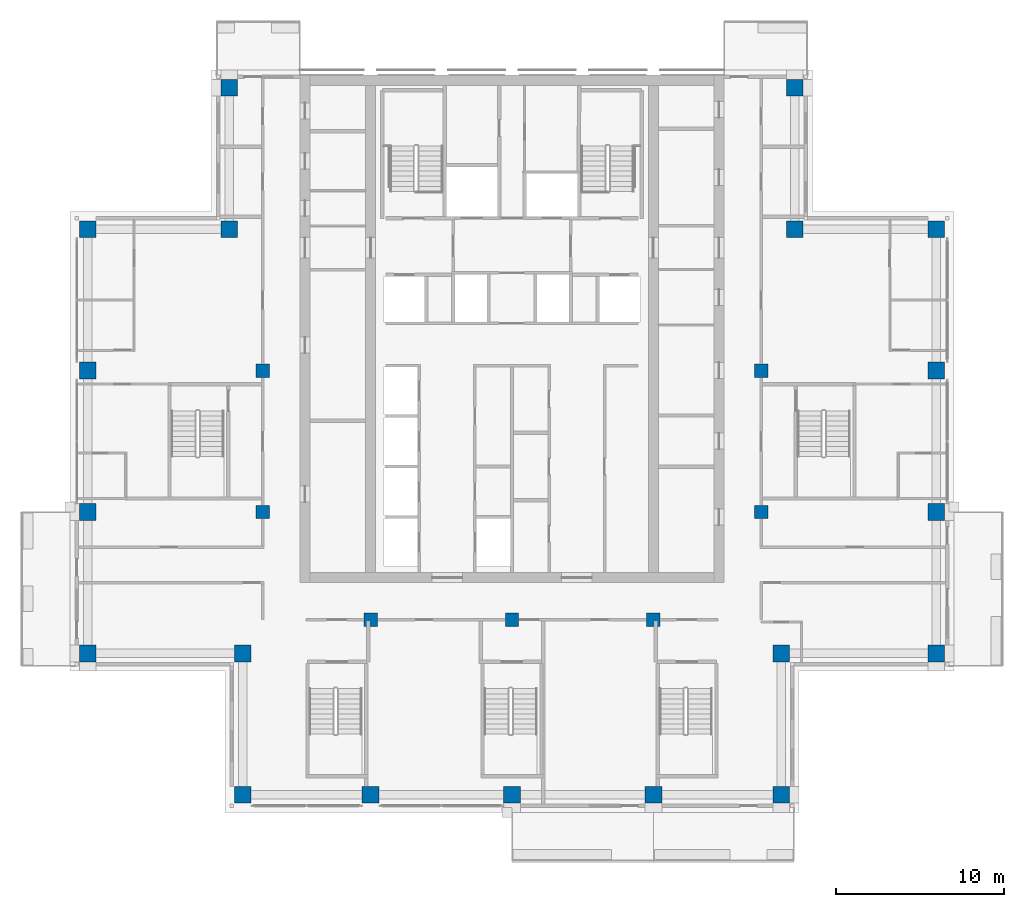
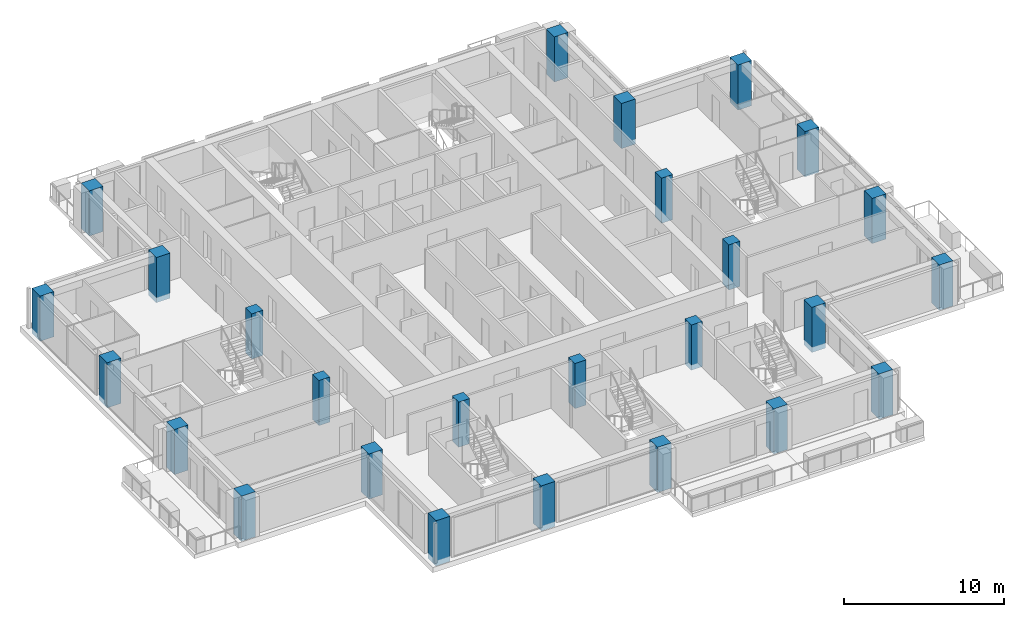
# One storey, part 1 of 17: 26 columns.
"""IFC4 building model written with IfcOpenShell, lengths in metres."""

from ifc_helpers import new_model, si_unit, direction, frame, origin, origin_2d, place, context, subcontext, project, spatial, rectangle, extrude, material, material_profile, profile_set, type_object, element, save


model = new_model("IFC4")

# Units and contexts
model_context = context("Model", 3, precision=1e-05, world=origin(), true_north=direction((0.0, 1.0)))
body_context = subcontext(model_context, "Body", "Model", "MODEL_VIEW")
ifc_project = project(units=[si_unit("LENGTHUNIT", "METRE"), si_unit("AREAUNIT", "SQUARE_METRE"), si_unit("VOLUMEUNIT", "CUBIC_METRE"), si_unit("PLANEANGLEUNIT", "RADIAN"), si_unit("MASSUNIT", "GRAM", prefix="KILO")], contexts=[model_context])

# Site, building, storey
site_placement = place(None, origin())
site = spatial("IfcSite", under=ifc_project, at=site_placement, CompositionType="ELEMENT")
building_placement = place(site_placement, origin())
building = spatial("IfcBuilding", under=site, at=building_placement, Name="Vermilion Ogive Tower", CompositionType="ELEMENT")
storey_placement = place(building_placement, frame((0.0, 0.0, 189.35009765625)))
storey = spatial("IfcBuildingStorey", under=building, at=storey_placement, Name="L49", CompositionType="ELEMENT", Elevation=189.35009765625)

# Columns
ifc_material_1 = material(Name="Concrete B60", Category="concrete")
ifc_material_profile_1 = material_profile(ifc_material_1, rectangle(XDim=1.0, YDim=1.0, at=origin_2d()), Name="1000 x 1000")
ifc_profile_set_1 = profile_set([ifc_material_profile_1], Name="Concrete B60")
column_type_1 = type_object("IfcColumnType", Name="Perimeter column 1000 x 1000 B60", PredefinedType="COLUMN", material=ifc_profile_set_1)
for number, where, z_axis, x_axis, name in (
    (1, (-16.0, -21.0, -0.400146484375), (0.0, 0.0, 1.0), (1.0, 0.0, 0.0), "COL-L49-P-0160-210"),
    (2, (-8.39990234375, -21.0, -0.400146484375), (0.0, 0.0, 1.0), (1.0, 0.0, 0.0), "COL-L49-P-0084-210"),
    (3, (0.0, -21.0, -0.400146484375), (0.0, 0.0, 1.0), (1.0, 0.0, 0.0), "COL-L49-P+0000-210"),
    (4, (8.39990234375, -21.0, -0.400146484375), (0.0, 0.0, 1.0), (1.0, 0.0, 0.0), "COL-L49-P+0084-210"),
    (5, (16.0, -21.0, -0.400146484375), (0.0, 0.0, 1.0), (1.0, 0.0, 0.0), "COL-L49-P+0160-210"),
    (6, (-25.199951171875, -12.60009765625, -0.400146484375), (0.0, 0.0, 1.0), (1.0, 0.0, 0.0), "COL-L49-P-0252-126"),
    (7, (-16.0, -12.60009765625, -0.400146484375), (0.0, 0.0, 1.0), (1.0, 0.0, 0.0), "COL-L49-P-0160-126"),
    (8, (16.0, -12.60009765625, -0.400146484375), (0.0, 0.0, 1.0), (1.0, 0.0, 0.0), "COL-L49-P+0160-126"),
    (9, (25.199951171875, -12.60009765625, -0.400146484375), (0.0, 0.0, 1.0), (1.0, 0.0, 0.0), "COL-L49-P+0252-126"),
    (10, (-25.199951171875, -4.199951171875, -0.400146484375), (0.0, 0.0, 1.0), (1.0, 0.0, 0.0), "COL-L49-P-0252-042"),
    (11, (25.199951171875, -4.199951171875, -0.400146484375), (0.0, 0.0, 1.0), (1.0, 0.0, 0.0), "COL-L49-P+0252-042"),
    (12, (-25.199951171875, 4.199951171875, -0.400146484375), (0.0, 0.0, 1.0), (1.0, 0.0, 0.0), "COL-L49-P-0252+042"),
    (13, (25.199951171875, 4.199951171875, -0.400146484375), (0.0, 0.0, 1.0), (1.0, 0.0, 0.0), "COL-L49-P+0252+042"),
    (14, (-25.199951171875, 12.60009765625, -0.400146484375), (0.0, 0.0, 1.0), (1.0, 0.0, 0.0), "COL-L49-P-0252+126"),
    (15, (-16.800048828125, 12.60009765625, -0.400146484375), (0.0, 0.0, 1.0), (1.0, 0.0, 0.0), "COL-L49-P-0168+126"),
    (16, (16.800048828125, 12.60009765625, -0.400146484375), (0.0, 0.0, 1.0), (1.0, 0.0, 0.0), "COL-L49-P+0168+126"),
    (17, (25.199951171875, 12.60009765625, -0.400146484375), (0.0, 0.0, 1.0), (1.0, 0.0, 0.0), "COL-L49-P+0252+126"),
    (18, (-16.800048828125, 21.0, -0.400146484375), (0.0, 0.0, 1.0), (1.0, 0.0, 0.0), "COL-L49-P-0168+210"),
    (19, (16.800048828125, 21.0, -0.400146484375), (0.0, 0.0, 1.0), (1.0, 0.0, 0.0), "COL-L49-P+0168+210"),
):
    element("IfcColumn", number, at=place(storey_placement, frame(where, z_axis=z_axis, x_axis=x_axis)), inside=storey, type_object=column_type_1, Name=name, PredefinedType="COLUMN", context=body_context, shape_type="SweptSolid", body=[
        extrude(rectangle(XDim=1.0, YDim=1.0, at=origin_2d()), origin(), (0.0, 0.0, 1.0), 3.449951171875),
    ])
ifc_material_2 = material(Name="Concrete B60", Category="concrete")
ifc_material_profile_2 = material_profile(ifc_material_2, rectangle(XDim=0.800048828125, YDim=0.800048828125, at=origin_2d()), Name="800 x 800")
ifc_profile_set_2 = profile_set([ifc_material_profile_2], Name="Concrete B60")
column_type_2 = type_object("IfcColumnType", Name="Ring column 800 x 800 B60", PredefinedType="COLUMN", material=ifc_profile_set_2)
for number, where, z_axis, x_axis, name in (
    (20, (-8.39990234375, -10.60009765625, -0.400146484375), (0.0, 0.0, 1.0), (1.0, 0.0, 0.0), "COL-L49-R-0084-106"),
    (21, (0.0, -10.60009765625, -0.400146484375), (0.0, 0.0, 1.0), (1.0, 0.0, 0.0), "COL-L49-R+0000-106"),
    (22, (8.39990234375, -10.60009765625, -0.400146484375), (0.0, 0.0, 1.0), (1.0, 0.0, 0.0), "COL-L49-R+0084-106"),
    (23, (-14.800048828125, -4.199951171875, -0.400146484375), (0.0, 0.0, 1.0), (1.0, 0.0, 0.0), "COL-L49-R-0148-042"),
    (24, (14.800048828125, -4.199951171875, -0.400146484375), (0.0, 0.0, 1.0), (1.0, 0.0, 0.0), "COL-L49-R+0148-042"),
    (25, (-14.800048828125, 4.199951171875, -0.400146484375), (0.0, 0.0, 1.0), (1.0, 0.0, 0.0), "COL-L49-R-0148+042"),
    (26, (14.800048828125, 4.199951171875, -0.400146484375), (0.0, 0.0, 1.0), (1.0, 0.0, 0.0), "COL-L49-R+0148+042"),
):
    element("IfcColumn", number, at=place(storey_placement, frame(where, z_axis=z_axis, x_axis=x_axis)), inside=storey, type_object=column_type_2, Name=name, PredefinedType="COLUMN", context=body_context, shape_type="SweptSolid", body=[
        extrude(rectangle(XDim=0.800048828125, YDim=0.800048828125, at=origin_2d()), origin(), (0.0, 0.0, 1.0), 3.449951171875),
    ])

save(model, "model.ifc")
